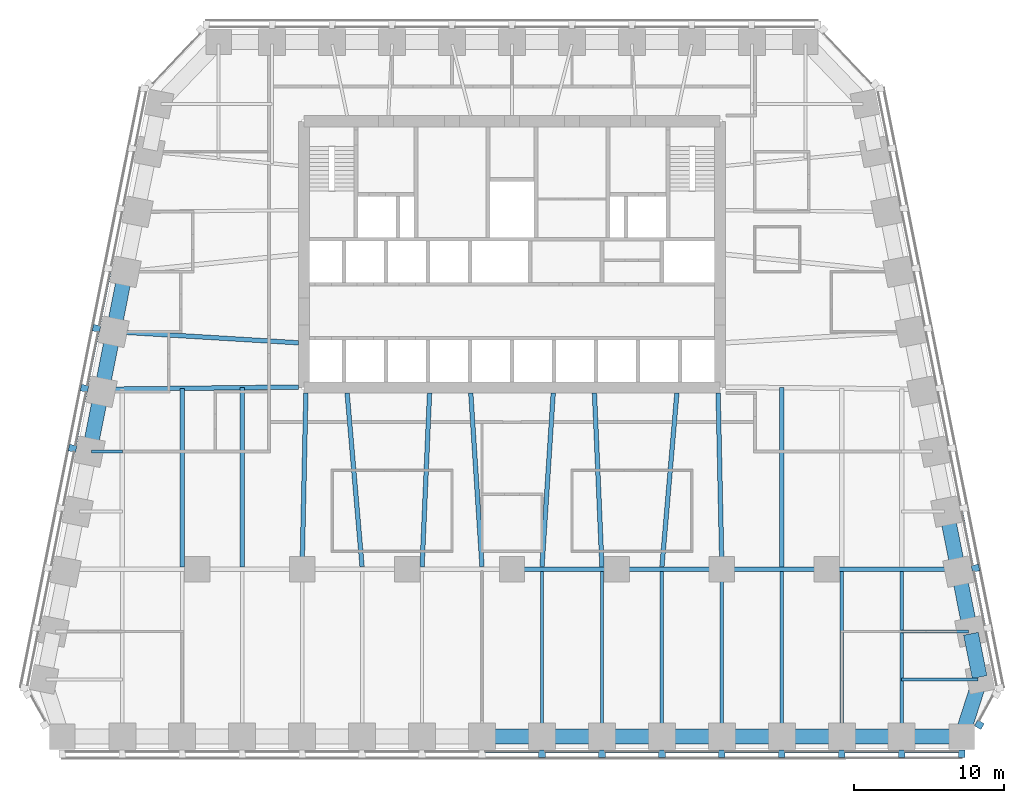
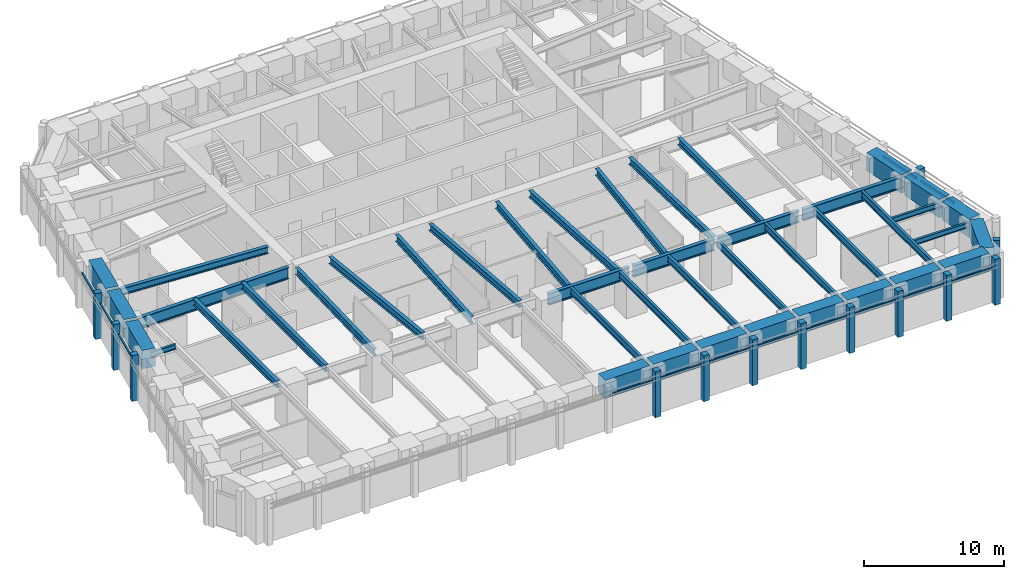
# One storey, part 2 of 10: 42 beams, 26 members, 4 elements without a shape of their own.
"""IFC4 building model written with IfcOpenShell, lengths in metres."""

from ifc_helpers import new_model, si_unit, direction, frame, origin, origin_2d, place, context, subcontext, project, spatial, rectangle, i_section, extrude, material, material_profile, profile_set, type_object, element, aggregate, save


model = new_model("IFC4")

# Units and contexts
model_context = context("Model", 3, precision=1e-05, world=origin(), true_north=direction((0.0, 1.0)))
body_context = subcontext(model_context, "Body", "Model", "MODEL_VIEW")
ifc_project = project(units=[si_unit("LENGTHUNIT", "METRE"), si_unit("AREAUNIT", "SQUARE_METRE"), si_unit("VOLUMEUNIT", "CUBIC_METRE"), si_unit("PLANEANGLEUNIT", "RADIAN"), si_unit("MASSUNIT", "GRAM", prefix="KILO")], contexts=[model_context])

# Site, building, storey
site_placement = place(None, origin())
site = spatial("IfcSite", under=ifc_project, at=site_placement, CompositionType="ELEMENT")
building_placement = place(site_placement, origin())
building = spatial("IfcBuilding", under=site, at=building_placement, Name="Isbrekke Arena Tower", CompositionType="ELEMENT")
storey_placement = place(building_placement, frame((0.0, 0.0, 119.0)))
storey = spatial("IfcBuildingStorey", under=building, at=storey_placement, Name="L26", CompositionType="ELEMENT", Elevation=119.0)

# Beams
ifc_material_1 = material(Name="Steel S355", Category="steel")
ifc_material_profile_1 = material_profile(ifc_material_1, i_section(OverallWidth=0.219970703125, OverallDepth=0.60009765625, WebThickness=0.011962890625, FlangeThickness=0.01904296875, FilletRadius=0.02392578125, at=origin_2d()), Name="IPE 600")
ifc_profile_set_1 = profile_set([ifc_material_profile_1], Name="Steel S355")
beam_type_1 = type_object("IfcBeamType", Name="B1 IPE 600", PredefinedType="BEAM", material=ifc_profile_set_1)
for number, where, z_axis, x_axis, name in (
    (1, (2.0, -17.02490234375, 3.550048828125), (0.0, 1.0, 0.0), (-1.0, 0.0, 0.0), "B1 beam S-S09 L26"),
    (2, (6.0, -17.02490234375, 3.550048828125), (0.0, 1.0, 0.0), (-1.0, 0.0, 0.0), "B1 beam S-S10 L26"),
    (3, (10.0, -17.02490234375, 3.550048828125), (0.0, 1.0, 0.0), (-1.0, 0.0, 0.0), "B1 beam S-S11 L26"),
):
    element("IfcBeam", number, at=place(storey_placement, frame(where, z_axis=z_axis, x_axis=x_axis)), inside=storey, type_object=beam_type_1, Name=name, PredefinedType="BEAM", context=body_context, shape_type="SweptSolid", body=[
        extrude(i_section(OverallWidth=0.219970703125, OverallDepth=0.60009765625, WebThickness=0.011962890625, FlangeThickness=0.01904296875, FilletRadius=0.02392578125, at=origin_2d()), origin(), (0.0, 0.0, 1.0), 10.8740234375),
    ])
beam_1_placement = place(storey_placement, frame((14.0, -17.02490234375, 3.550048828125), z_axis=(0.0, 1.0, 0.0), x_axis=(-1.0, 0.0, 0.0)))
element("IfcBeam", 4, at=beam_1_placement, inside=storey, type_object=beam_type_1, Name="B1 beam S-S12 L26", PredefinedType="BEAM", context=body_context, shape_type="SweptSolid", body=[
    extrude(i_section(OverallWidth=0.219970703125, OverallDepth=0.60009765625, WebThickness=0.011962890625, FlangeThickness=0.01904296875, FilletRadius=0.02392578125, at=origin_2d()), origin(), (0.0, 0.0, 1.0), 10.875),
])
for number, where, z_axis, x_axis, name in (
    (5, (18.0, -17.02490234375, 3.550048828125), (0.0, 1.0, 0.0), (-1.0, 0.0, 0.0), "B1 beam S-S13 L26"),
    (6, (22.0, -17.02490234375, 3.550048828125), (0.0, 1.0, 0.0), (-1.0, 0.0, 0.0), "B1 beam S-S14 L26"),
    (7, (26.0, -17.02490234375, 3.550048828125), (0.0, 1.0, 0.0), (-1.0, 0.0, 0.0), "B1 beam S-S15 L26"),
):
    element("IfcBeam", number, at=place(storey_placement, frame(where, z_axis=z_axis, x_axis=x_axis)), inside=storey, type_object=beam_type_1, Name=name, PredefinedType="BEAM", context=body_context, shape_type="SweptSolid", body=[
        extrude(i_section(OverallWidth=0.219970703125, OverallDepth=0.60009765625, WebThickness=0.011962890625, FlangeThickness=0.01904296875, FilletRadius=0.02392578125, at=origin_2d()), origin(), (0.0, 0.0, 1.0), 10.8740234375),
    ])
ifc_material_2 = material(Name="Steel S355", Category="steel")
ifc_material_profile_2 = material_profile(ifc_material_2, i_section(OverallWidth=0.18994140625, OverallDepth=0.449951171875, WebThickness=0.009521484375, FlangeThickness=0.0146484375, FilletRadius=0.02099609375, at=origin_2d()), Name="IPE 450")
ifc_profile_set_2 = profile_set([ifc_material_profile_2], Name="Steel S355")
beam_type_2 = type_object("IfcBeamType", Name="B2 IPE 450", PredefinedType="BEAM", material=ifc_profile_set_2)
beam_2_placement = place(storey_placement, frame((31.079345703125, -13.352783203125, 3.625), z_axis=(-1.0, 0.0, 0.0), x_axis=(0.0, -1.0, 0.0)))
element("IfcBeam", 8, at=beam_2_placement, inside=storey, type_object=beam_type_2, Name="B2 beam E-E01 L26", PredefinedType="BEAM", context=body_context, shape_type="SweptSolid", body=[
    extrude(i_section(OverallWidth=0.18994140625, OverallDepth=0.449951171875, WebThickness=0.009521484375, FlangeThickness=0.0146484375, FilletRadius=0.02099609375, at=origin_2d()), origin(), (0.0, 0.0, 1.0), 5.079345703125),
])
beam_3_placement = place(storey_placement, frame((30.44091796875, -10.161865234375, 3.625), z_axis=(-1.0, 0.0, 0.0), x_axis=(0.0, -1.0, 0.0)))
element("IfcBeam", 9, at=beam_3_placement, inside=storey, type_object=beam_type_2, Name="B2 beam E-E02 L26", PredefinedType="BEAM", context=body_context, shape_type="SweptSolid", body=[
    extrude(i_section(OverallWidth=0.18994140625, OverallDepth=0.449951171875, WebThickness=0.009521484375, FlangeThickness=0.0146484375, FilletRadius=0.02099609375, at=origin_2d()), origin(), (0.0, 0.0, 1.0), 4.44091796875),
])
beam_4_placement = place(storey_placement, frame((-28.041015625, 1.838134765625, 3.625), z_axis=(1.0, 0.0, 0.0), x_axis=(0.0, 1.0, 0.0)))
element("IfcBeam", 10, at=beam_4_placement, inside=storey, type_object=beam_type_2, Name="B2 beam E-W07 L26", PredefinedType="BEAM", context=body_context, shape_type="SweptSolid", body=[
    extrude(i_section(OverallWidth=0.18994140625, OverallDepth=0.449951171875, WebThickness=0.009521484375, FlangeThickness=0.0146484375, FilletRadius=0.02099609375, at=origin_2d()), origin(), (0.0, 0.0, 1.0), 2.041015625),
])
ifc_material_3 = material(Name="Steel S355", Category="steel")
ifc_material_profile_3 = material_profile(ifc_material_3, i_section(OverallWidth=0.300048828125, OverallDepth=0.60009765625, WebThickness=0.015380859375, FlangeThickness=0.030029296875, FilletRadius=0.027099609375, at=origin_2d()), Name="HEB 600")
ifc_profile_set_3 = profile_set([ifc_material_profile_3], Name="Steel S355")
beam_type_3 = type_object("IfcBeamType", Name="B7 HEB 600", PredefinedType="BEAM", material=ifc_profile_set_3)
beam_5_placement = place(storey_placement, frame((-22.0, -5.84912109375, 3.550048828125), z_axis=(0.0, 1.0, 0.0), x_axis=(-1.0, 0.0, 0.0)))
element("IfcBeam", 11, at=beam_5_placement, inside=storey, type_object=beam_type_3, Name="B7 beam C-M02 L26", PredefinedType="BEAM", context=body_context, shape_type="SweptSolid", body=[
    extrude(i_section(OverallWidth=0.300048828125, OverallDepth=0.60009765625, WebThickness=0.015380859375, FlangeThickness=0.030029296875, FilletRadius=0.027099609375, at=origin_2d()), origin(), (0.0, 0.0, 1.0), 11.91064453125),
])
beam_6_placement = place(storey_placement, frame((-18.0, -5.84912109375, 3.550048828125), z_axis=(0.0, 1.0, 0.0), x_axis=(-1.0, 0.0, 0.0)))
element("IfcBeam", 12, at=beam_6_placement, inside=storey, type_object=beam_type_3, Name="B7 beam C-M03 L26", PredefinedType="BEAM", context=body_context, shape_type="SweptSolid", body=[
    extrude(i_section(OverallWidth=0.300048828125, OverallDepth=0.60009765625, WebThickness=0.015380859375, FlangeThickness=0.030029296875, FilletRadius=0.027099609375, at=origin_2d()), origin(), (0.0, 0.0, 1.0), 11.956298828125),
])
beam_7_placement = place(storey_placement, frame((-14.0, -5.8466796875, 3.550048828125), z_axis=(0.021552887044, 0.999767709551, 0.0), x_axis=(-0.999767709551, 0.021552887044, 0.0)))
element("IfcBeam", 13, at=beam_7_placement, inside=storey, type_object=beam_type_3, Name="B7 beam C-M04 L26", PredefinedType="BEAM", context=body_context, shape_type="SweptSolid", body=[
    extrude(i_section(OverallWidth=0.300048828125, OverallDepth=0.60009765625, WebThickness=0.015380859375, FlangeThickness=0.030029296875, FilletRadius=0.027099609375, at=origin_2d()), origin(), (0.0, 0.0, 1.0), 11.599365234375),
])
beam_8_placement = place(storey_placement, frame((-10.001220703125, -5.836181640625, 3.550048828125), z_axis=(-0.085885827104, 0.996304985786, 0.0), x_axis=(-0.996304985786, -0.085885827104, 0.0)))
element("IfcBeam", 14, at=beam_8_placement, inside=storey, type_object=beam_type_3, Name="B7 beam C-M05 L26", PredefinedType="BEAM", context=body_context, shape_type="SweptSolid", body=[
    extrude(i_section(OverallWidth=0.300048828125, OverallDepth=0.60009765625, WebThickness=0.015380859375, FlangeThickness=0.030029296875, FilletRadius=0.027099609375, at=origin_2d()), origin(), (0.0, 0.0, 1.0), 11.629150390625),
])
beam_9_placement = place(storey_placement, frame((-5.999755859375, -5.842529296875, 3.550048828125), z_axis=(0.043070161667, 0.999072050041, 0.0), x_axis=(-0.999072050041, 0.043070161667, 0.0)))
element("IfcBeam", 15, at=beam_9_placement, inside=storey, type_object=beam_type_3, Name="B7 beam C-M06 L26", PredefinedType="BEAM", context=body_context, shape_type="SweptSolid", body=[
    extrude(i_section(OverallWidth=0.300048828125, OverallDepth=0.60009765625, WebThickness=0.015380859375, FlangeThickness=0.030029296875, FilletRadius=0.027099609375, at=origin_2d()), origin(), (0.0, 0.0, 1.0), 11.603271484375),
])
for number, where, z_axis, x_axis, name in (
    (16, (-2.000732421875, -5.83935546875, 3.550048828125), (-0.064516666031, 0.997916629686, 0.0), (-0.997916629686, -0.064516666031, 0.0), "B7 beam C-M07 L26"),
    (17, (2.000732421875, -5.83935546875, 3.550048828125), (0.064516666031, 0.997916629686, 0.0), (-0.997916629686, 0.064516666031, 0.0), "B7 beam C-M08 L26"),
):
    element("IfcBeam", number, at=place(storey_placement, frame(where, z_axis=z_axis, x_axis=x_axis)), inside=storey, type_object=beam_type_3, Name=name, PredefinedType="BEAM", context=body_context, shape_type="SweptSolid", body=[
        extrude(i_section(OverallWidth=0.300048828125, OverallDepth=0.60009765625, WebThickness=0.015380859375, FlangeThickness=0.030029296875, FilletRadius=0.027099609375, at=origin_2d()), origin(), (0.0, 0.0, 1.0), 11.613525390625),
    ])
beam_10_placement = place(storey_placement, frame((5.999755859375, -5.842529296875, 3.550048828125), z_axis=(-0.043070161667, 0.999072050041, 0.0), x_axis=(-0.999072050041, -0.043070161667, 0.0)))
element("IfcBeam", 18, at=beam_10_placement, inside=storey, type_object=beam_type_3, Name="B7 beam C-M09 L26", PredefinedType="BEAM", context=body_context, shape_type="SweptSolid", body=[
    extrude(i_section(OverallWidth=0.300048828125, OverallDepth=0.60009765625, WebThickness=0.015380859375, FlangeThickness=0.030029296875, FilletRadius=0.027099609375, at=origin_2d()), origin(), (0.0, 0.0, 1.0), 11.603271484375),
])
beam_11_placement = place(storey_placement, frame((10.001220703125, -5.836181640625, 3.550048828125), z_axis=(0.085885827104, 0.996304985786, 0.0), x_axis=(-0.996304985786, 0.085885827104, 0.0)))
element("IfcBeam", 19, at=beam_11_placement, inside=storey, type_object=beam_type_3, Name="B7 beam C-M10 L26", PredefinedType="BEAM", context=body_context, shape_type="SweptSolid", body=[
    extrude(i_section(OverallWidth=0.300048828125, OverallDepth=0.60009765625, WebThickness=0.015380859375, FlangeThickness=0.030029296875, FilletRadius=0.027099609375, at=origin_2d()), origin(), (0.0, 0.0, 1.0), 11.629150390625),
])
beam_12_placement = place(storey_placement, frame((14.0, -5.8466796875, 3.550048828125), z_axis=(-0.021552887044, 0.999767709551, 0.0), x_axis=(-0.999767709551, -0.021552887044, 0.0)))
element("IfcBeam", 20, at=beam_12_placement, inside=storey, type_object=beam_type_3, Name="B7 beam C-M11 L26", PredefinedType="BEAM", context=body_context, shape_type="SweptSolid", body=[
    extrude(i_section(OverallWidth=0.300048828125, OverallDepth=0.60009765625, WebThickness=0.015380859375, FlangeThickness=0.030029296875, FilletRadius=0.027099609375, at=origin_2d()), origin(), (0.0, 0.0, 1.0), 11.599365234375),
])
beam_13_placement = place(storey_placement, frame((18.0, -5.84912109375, 3.550048828125), z_axis=(0.0, 1.0, 0.0), x_axis=(-1.0, 0.0, 0.0)))
element("IfcBeam", 21, at=beam_13_placement, inside=storey, type_object=beam_type_3, Name="B7 beam C-M12 L26", PredefinedType="BEAM", context=body_context, shape_type="SweptSolid", body=[
    extrude(i_section(OverallWidth=0.300048828125, OverallDepth=0.60009765625, WebThickness=0.015380859375, FlangeThickness=0.030029296875, FilletRadius=0.027099609375, at=origin_2d()), origin(), (0.0, 0.0, 1.0), 11.956298828125),
])
beam_14_placement = place(storey_placement, frame((-26.431884765625, 9.837646484375, 3.550048828125), z_axis=(0.998172191876, -0.060434057993, 0.0), x_axis=(0.060434057993, 0.998172191876, 0.0)))
element("IfcBeam", 22, at=beam_14_placement, inside=storey, type_object=beam_type_3, Name="B7 beam E-W05 L26", PredefinedType="BEAM", context=body_context, shape_type="SweptSolid", body=[
    extrude(i_section(OverallWidth=0.300048828125, OverallDepth=0.60009765625, WebThickness=0.015380859375, FlangeThickness=0.030029296875, FilletRadius=0.027099609375, at=origin_2d()), origin(), (0.0, 0.0, 1.0), 12.2041015625),
])

# Curtain wall, members
ifc_material_4 = material(Name="Glazed aluminium curtain wall", Category="aluminium")
curtain_wall_type = type_object("IfcCurtainWallType", Name="CWM TOWER CURTAIN WALL MID ZONE", PredefinedType="USERDEFINED", material=ifc_material_4)
curtain_wall_1_placement = place(storey_placement, origin())
curtain_wall_1 = element("IfcCurtainWall", 23, at=curtain_wall_1_placement, inside=storey, type_object=curtain_wall_type, Name="CWM curtain wall L26-S", ObjectType="TOWER CURTAIN WALL MID ZONE", PredefinedType="USERDEFINED")
ifc_material_5 = material(Name="Aluminium mullion, pale brick slip cladding", Category="masonry")
ifc_material_profile_4 = material_profile(ifc_material_5, rectangle(XDim=0.449951171875, YDim=0.5, at=origin_2d()), Name="PIER 450X500")
ifc_profile_set_4 = profile_set([ifc_material_profile_4], Name="Aluminium mullion, pale brick slip cladding")
member_type_1 = type_object("IfcMemberType", Name="CWM-M PIER MULLION 450 x 500", PredefinedType="MULLION", material=ifc_profile_set_4)
member_1_placement = place(storey_placement, frame((2.0, -18.324951171875, 0.0), z_axis=(0.0, 0.0, 1.0), x_axis=(1.0, 0.0, 0.0)))
member_1 = element("IfcMember", 24, at=member_1_placement, type_object=member_type_1, Name="CWM-M mullion 9", PredefinedType="MULLION", context=body_context, shape_type="SweptSolid", body=[
    extrude(rectangle(XDim=0.449951171875, YDim=0.5, at=origin_2d()), origin(), (0.0, 0.0, 1.0), 4.0),
])
member_2_placement = place(storey_placement, frame((6.0, -18.324951171875, 0.0), z_axis=(0.0, 0.0, 1.0), x_axis=(1.0, 0.0, 0.0)))
member_2 = element("IfcMember", 25, at=member_2_placement, type_object=member_type_1, Name="CWM-M mullion 10", PredefinedType="MULLION", context=body_context, shape_type="SweptSolid", body=[
    extrude(rectangle(XDim=0.449951171875, YDim=0.5, at=origin_2d()), origin(), (0.0, 0.0, 1.0), 4.0),
])
member_3_placement = place(storey_placement, frame((10.0, -18.324951171875, 0.0), z_axis=(0.0, 0.0, 1.0), x_axis=(1.0, 0.0, 0.0)))
member_3 = element("IfcMember", 26, at=member_3_placement, type_object=member_type_1, Name="CWM-M mullion 11", PredefinedType="MULLION", context=body_context, shape_type="SweptSolid", body=[
    extrude(rectangle(XDim=0.449951171875, YDim=0.5, at=origin_2d()), origin(), (0.0, 0.0, 1.0), 4.0),
])
member_4_placement = place(storey_placement, frame((14.0, -18.324951171875, 0.0), z_axis=(0.0, 0.0, 1.0), x_axis=(1.0, 0.0, 0.0)))
member_4 = element("IfcMember", 27, at=member_4_placement, type_object=member_type_1, Name="CWM-M mullion 12", PredefinedType="MULLION", context=body_context, shape_type="SweptSolid", body=[
    extrude(rectangle(XDim=0.449951171875, YDim=0.5, at=origin_2d()), origin(), (0.0, 0.0, 1.0), 4.0),
])
member_5_placement = place(storey_placement, frame((18.0, -18.324951171875, 0.0), z_axis=(0.0, 0.0, 1.0), x_axis=(1.0, 0.0, 0.0)))
member_5 = element("IfcMember", 28, at=member_5_placement, type_object=member_type_1, Name="CWM-M mullion 13", PredefinedType="MULLION", context=body_context, shape_type="SweptSolid", body=[
    extrude(rectangle(XDim=0.449951171875, YDim=0.5, at=origin_2d()), origin(), (0.0, 0.0, 1.0), 4.0),
])
member_6_placement = place(storey_placement, frame((22.0, -18.324951171875, 0.0), z_axis=(0.0, 0.0, 1.0), x_axis=(1.0, 0.0, 0.0)))
member_6 = element("IfcMember", 29, at=member_6_placement, type_object=member_type_1, Name="CWM-M mullion 14", PredefinedType="MULLION", context=body_context, shape_type="SweptSolid", body=[
    extrude(rectangle(XDim=0.449951171875, YDim=0.5, at=origin_2d()), origin(), (0.0, 0.0, 1.0), 4.0),
])
member_7_placement = place(storey_placement, frame((26.0, -18.324951171875, 0.0), z_axis=(0.0, 0.0, 1.0), x_axis=(1.0, 0.0, 0.0)))
member_7 = element("IfcMember", 30, at=member_7_placement, type_object=member_type_1, Name="CWM-M mullion 15", PredefinedType="MULLION", context=body_context, shape_type="SweptSolid", body=[
    extrude(rectangle(XDim=0.449951171875, YDim=0.5, at=origin_2d()), origin(), (0.0, 0.0, 1.0), 4.0),
])
member_8_placement = place(storey_placement, frame((30.0, -18.324951171875, 0.0), z_axis=(0.0, 0.0, 1.0), x_axis=(1.0, 0.0, 0.0)))
member_8 = element("IfcMember", 31, at=member_8_placement, type_object=member_type_1, Name="CWM-M mullion 16", PredefinedType="MULLION", context=body_context, shape_type="SweptSolid", body=[
    extrude(rectangle(XDim=0.449951171875, YDim=0.5, at=origin_2d()), origin(), (0.0, 0.0, 1.0), 4.0),
])

# Curtain wall, member
curtain_wall_2_placement = place(storey_placement, origin())
curtain_wall_2 = element("IfcCurtainWall", 32, at=curtain_wall_2_placement, inside=storey, type_object=curtain_wall_type, Name="CWM curtain wall L26-SE", ObjectType="TOWER CURTAIN WALL MID ZONE", PredefinedType="USERDEFINED")
member_9_placement = place(storey_placement, frame((31.17529296875, -16.382080078125, 0.0), z_axis=(0.0, 0.0, 1.0), x_axis=(0.481918749773, 0.876215908676, 0.0)))
member_9 = element("IfcMember", 33, at=member_9_placement, type_object=member_type_1, Name="CWM-M mullion 1", PredefinedType="MULLION", context=body_context, shape_type="SweptSolid", body=[
    extrude(rectangle(XDim=0.449951171875, YDim=0.5, at=origin_2d()), origin(), (0.0, 0.0, 1.0), 4.0),
])
aggregate(curtain_wall_2, [member_9])

curtain_wall_3_placement = place(storey_placement, origin())
curtain_wall_3 = element("IfcCurtainWall", 34, at=curtain_wall_3_placement, inside=storey, type_object=curtain_wall_type, Name="CWM curtain wall L26-E", ObjectType="TOWER CURTAIN WALL MID ZONE", PredefinedType="USERDEFINED")
member_10_placement = place(storey_placement, frame((30.918701171875, -5.936279296875, 0.0), z_axis=(0.0, 0.0, 1.0), x_axis=(-0.196116135138, 0.980580675691, 0.0)))
member_10 = element("IfcMember", 35, at=member_10_placement, type_object=member_type_1, Name="CWM-M mullion 3", PredefinedType="MULLION", context=body_context, shape_type="SweptSolid", body=[
    extrude(rectangle(XDim=0.449951171875, YDim=0.5, at=origin_2d()), origin(), (0.0, 0.0, 1.0), 4.0),
])

# Curtain wall, members
curtain_wall_4_placement = place(storey_placement, origin())
curtain_wall_4 = element("IfcCurtainWall", 36, at=curtain_wall_4_placement, inside=storey, type_object=curtain_wall_type, Name="CWM curtain wall L26-W", ObjectType="TOWER CURTAIN WALL MID ZONE", PredefinedType="USERDEFINED")
member_11_placement = place(storey_placement, frame((-27.71875, 10.063720703125, 0.0), z_axis=(0.0, 0.0, 1.0), x_axis=(-0.196116135138, -0.980580675691, 0.0)))
member_11 = element("IfcMember", 37, at=member_11_placement, type_object=member_type_1, Name="CWM-M mullion 5", PredefinedType="MULLION", context=body_context, shape_type="SweptSolid", body=[
    extrude(rectangle(XDim=0.449951171875, YDim=0.5, at=origin_2d()), origin(), (0.0, 0.0, 1.0), 4.0),
])
member_12_placement = place(storey_placement, frame((-28.518798828125, 6.063720703125, 0.0), z_axis=(0.0, 0.0, 1.0), x_axis=(-0.196116135138, -0.980580675691, 0.0)))
member_12 = element("IfcMember", 38, at=member_12_placement, type_object=member_type_1, Name="CWM-M mullion 6", PredefinedType="MULLION", context=body_context, shape_type="SweptSolid", body=[
    extrude(rectangle(XDim=0.449951171875, YDim=0.5, at=origin_2d()), origin(), (0.0, 0.0, 1.0), 4.0),
])
member_13_placement = place(storey_placement, frame((-29.318603515625, 2.063720703125, 0.0), z_axis=(0.0, 0.0, 1.0), x_axis=(-0.196116135138, -0.980580675691, 0.0)))
member_13 = element("IfcMember", 39, at=member_13_placement, type_object=member_type_1, Name="CWM-M mullion 7", PredefinedType="MULLION", context=body_context, shape_type="SweptSolid", body=[
    extrude(rectangle(XDim=0.449951171875, YDim=0.5, at=origin_2d()), origin(), (0.0, 0.0, 1.0), 4.0),
])

# Member
ifc_material_6 = material(Name="Aluminium transom", Category="aluminium")
ifc_material_profile_5 = material_profile(ifc_material_6, rectangle(XDim=0.1201171875, YDim=0.199951171875, at=origin_2d()), Name="TRANSOM 120X200")
ifc_profile_set_5 = profile_set([ifc_material_profile_5], Name="Aluminium transom")
member_type_2 = type_object("IfcMemberType", Name="CWM-T TRANSOM 120 x 200", PredefinedType="USERDEFINED", material=ifc_profile_set_5)
member_14_placement = place(storey_placement, frame((-1.77490234375, -18.175048828125, 3.0), z_axis=(1.0, 0.0, 0.0), x_axis=(0.0, 1.0, 0.0)))
member_14 = element("IfcMember", 40, at=member_14_placement, type_object=member_type_2, Name="CWM-T transom 8", ObjectType="TRANSOM", PredefinedType="USERDEFINED", context=body_context, shape_type="SweptSolid", body=[
    extrude(rectangle(XDim=0.1201171875, YDim=0.199951171875, at=origin_2d()), origin(), (0.0, 0.0, 1.0), 3.5498046875),
])

member_15_placement = place(storey_placement, frame((2.22509765625, -18.175048828125, 3.0), z_axis=(1.0, 0.0, 0.0), x_axis=(0.0, 1.0, 0.0)))
member_15 = element("IfcMember", 41, at=member_15_placement, type_object=member_type_2, Name="CWM-T transom 9", ObjectType="TRANSOM", PredefinedType="USERDEFINED", context=body_context, shape_type="SweptSolid", body=[
    extrude(rectangle(XDim=0.1201171875, YDim=0.199951171875, at=origin_2d()), origin(), (0.0, 0.0, 1.0), 3.5498046875),
])

member_16_placement = place(storey_placement, frame((6.22509765625, -18.175048828125, 3.0), z_axis=(1.0, 0.0, 0.0), x_axis=(0.0, 1.0, 0.0)))
member_16 = element("IfcMember", 42, at=member_16_placement, type_object=member_type_2, Name="CWM-T transom 10", ObjectType="TRANSOM", PredefinedType="USERDEFINED", context=body_context, shape_type="SweptSolid", body=[
    extrude(rectangle(XDim=0.1201171875, YDim=0.199951171875, at=origin_2d()), origin(), (0.0, 0.0, 1.0), 3.5498046875),
])

member_17_placement = place(storey_placement, frame((10.22509765625, -18.175048828125, 3.0), z_axis=(1.0, 0.0, 0.0), x_axis=(0.0, 1.0, 0.0)))
member_17 = element("IfcMember", 43, at=member_17_placement, type_object=member_type_2, Name="CWM-T transom 11", ObjectType="TRANSOM", PredefinedType="USERDEFINED", context=body_context, shape_type="SweptSolid", body=[
    extrude(rectangle(XDim=0.1201171875, YDim=0.199951171875, at=origin_2d()), origin(), (0.0, 0.0, 1.0), 3.5498046875),
])

member_18_placement = place(storey_placement, frame((14.22509765625, -18.175048828125, 3.0), z_axis=(1.0, 0.0, 0.0), x_axis=(0.0, 1.0, 0.0)))
member_18 = element("IfcMember", 44, at=member_18_placement, type_object=member_type_2, Name="CWM-T transom 12", ObjectType="TRANSOM", PredefinedType="USERDEFINED", context=body_context, shape_type="SweptSolid", body=[
    extrude(rectangle(XDim=0.1201171875, YDim=0.199951171875, at=origin_2d()), origin(), (0.0, 0.0, 1.0), 3.5498046875),
])

member_19_placement = place(storey_placement, frame((18.22509765625, -18.175048828125, 3.0), z_axis=(1.0, 0.0, 0.0), x_axis=(0.0, 1.0, 0.0)))
member_19 = element("IfcMember", 45, at=member_19_placement, type_object=member_type_2, Name="CWM-T transom 13", ObjectType="TRANSOM", PredefinedType="USERDEFINED", context=body_context, shape_type="SweptSolid", body=[
    extrude(rectangle(XDim=0.1201171875, YDim=0.199951171875, at=origin_2d()), origin(), (0.0, 0.0, 1.0), 3.5498046875),
])

member_20_placement = place(storey_placement, frame((22.22509765625, -18.175048828125, 3.0), z_axis=(1.0, 0.0, 0.0), x_axis=(0.0, 1.0, 0.0)))
member_20 = element("IfcMember", 46, at=member_20_placement, type_object=member_type_2, Name="CWM-T transom 14", ObjectType="TRANSOM", PredefinedType="USERDEFINED", context=body_context, shape_type="SweptSolid", body=[
    extrude(rectangle(XDim=0.1201171875, YDim=0.199951171875, at=origin_2d()), origin(), (0.0, 0.0, 1.0), 3.5498046875),
])

member_21_placement = place(storey_placement, frame((26.22509765625, -18.175048828125, 3.0), z_axis=(1.0, 0.0, 0.0), x_axis=(0.0, 1.0, 0.0)))
member_21 = element("IfcMember", 47, at=member_21_placement, type_object=member_type_2, Name="CWM-T transom 15", ObjectType="TRANSOM", PredefinedType="USERDEFINED", context=body_context, shape_type="SweptSolid", body=[
    extrude(rectangle(XDim=0.1201171875, YDim=0.199951171875, at=origin_2d()), origin(), (0.0, 0.0, 1.0), 3.5498046875),
])

aggregate(curtain_wall_1, [member_1, member_2, member_3, member_4, member_5, member_6, member_7, member_8, member_14, member_15, member_16, member_17, member_18, member_19, member_20, member_21])

member_22_placement = place(storey_placement, frame((31.527587890625, -9.7451171875, 3.0), z_axis=(-0.196154943734, 0.980572913173, 0.0), x_axis=(-0.980572913173, -0.196154943734, 0.0)))
member_22 = element("IfcMember", 48, at=member_22_placement, type_object=member_type_2, Name="CWM-T transom 2", ObjectType="TRANSOM", PredefinedType="USERDEFINED", context=body_context, shape_type="SweptSolid", body=[
    extrude(rectangle(XDim=0.1201171875, YDim=0.199951171875, at=origin_2d()), origin(), (0.0, 0.0, 1.0), 3.62939453125),
])

member_23_placement = place(storey_placement, frame((30.7275390625, -5.7451171875, 3.0), z_axis=(-0.196154943734, 0.980572913173, 0.0), x_axis=(-0.980572913173, -0.196154943734, 0.0)))
member_23 = element("IfcMember", 49, at=member_23_placement, type_object=member_type_2, Name="CWM-T transom 3", ObjectType="TRANSOM", PredefinedType="USERDEFINED", context=body_context, shape_type="SweptSolid", body=[
    extrude(rectangle(XDim=0.1201171875, YDim=0.199951171875, at=origin_2d()), origin(), (0.0, 0.0, 1.0), 3.62939453125),
])

aggregate(curtain_wall_3, [member_10, member_22, member_23])

member_24_placement = place(storey_placement, frame((-26.815673828125, 13.813720703125, 3.0), z_axis=(-0.196154943734, -0.980572913173, 0.0), x_axis=(0.980572913173, -0.196154943734, 0.0)))
member_24 = element("IfcMember", 50, at=member_24_placement, type_object=member_type_2, Name="CWM-T transom 4", ObjectType="TRANSOM", PredefinedType="USERDEFINED", context=body_context, shape_type="SweptSolid", body=[
    extrude(rectangle(XDim=0.1201171875, YDim=0.199951171875, at=origin_2d()), origin(), (0.0, 0.0, 1.0), 3.62939453125),
])

member_25_placement = place(storey_placement, frame((-27.61572265625, 9.813720703125, 3.0), z_axis=(-0.196090262229, -0.980585849918, 0.0), x_axis=(0.980585849918, -0.196090262229, 0.0)))
member_25 = element("IfcMember", 51, at=member_25_placement, type_object=member_type_2, Name="CWM-T transom 5", ObjectType="TRANSOM", PredefinedType="USERDEFINED", context=body_context, shape_type="SweptSolid", body=[
    extrude(rectangle(XDim=0.1201171875, YDim=0.199951171875, at=origin_2d()), origin(), (0.0, 0.0, 1.0), 3.62939453125),
])

member_26_placement = place(storey_placement, frame((-28.415771484375, 5.813720703125, 3.0), z_axis=(-0.196090262229, -0.980585849918, 0.0), x_axis=(0.980585849918, -0.196090262229, 0.0)))
member_26 = element("IfcMember", 52, at=member_26_placement, type_object=member_type_2, Name="CWM-T transom 6", ObjectType="TRANSOM", PredefinedType="USERDEFINED", context=body_context, shape_type="SweptSolid", body=[
    extrude(rectangle(XDim=0.1201171875, YDim=0.199951171875, at=origin_2d()), origin(), (0.0, 0.0, 1.0), 3.62939453125),
])

aggregate(curtain_wall_4, [member_11, member_12, member_13, member_24, member_25, member_26])

# Beams
ifc_material_7 = material(Name="Steel S355", Category="steel")
ifc_material_profile_6 = material_profile(ifc_material_7, i_section(OverallWidth=0.302001953125, OverallDepth=1.008056640625, WebThickness=0.02099609375, FlangeThickness=0.0400390625, FilletRadius=0.030029296875, at=origin_2d()), Name="HEM 1000")
ifc_profile_set_6 = profile_set([ifc_material_profile_6], Name="Steel S355")
beam_type_4 = type_object("IfcBeamType", Name="G1 HEM 1000", PredefinedType="BEAM", material=ifc_profile_set_6)
for number, where, z_axis, x_axis, name in (
    (53, (0.14990234375, -6.0, 3.345947265625), (1.0, 0.0, 0.0), (0.0, 1.0, 0.0), "G1 beam G1-05 L26"),
    (54, (7.14990234375, -6.0, 3.345947265625), (1.0, 0.0, 0.0), (0.0, 1.0, 0.0), "G1 beam G1-06 L26"),
    (55, (14.14990234375, -6.0, 3.345947265625), (1.0, 0.0, 0.0), (0.0, 1.0, 0.0), "G1 beam G1-07 L26"),
):
    element("IfcBeam", number, at=place(storey_placement, frame(where, z_axis=z_axis, x_axis=x_axis)), inside=storey, type_object=beam_type_4, Name=name, PredefinedType="BEAM", context=body_context, shape_type="SweptSolid", body=[
        extrude(i_section(OverallWidth=0.302001953125, OverallDepth=1.008056640625, WebThickness=0.02099609375, FlangeThickness=0.0400390625, FilletRadius=0.030029296875, at=origin_2d()), origin(), (0.0, 0.0, 1.0), 6.7001953125),
    ])
beam_15_placement = place(storey_placement, frame((21.14990234375, -6.0, 3.345947265625), z_axis=(1.0, 0.0, 0.0), x_axis=(0.0, 1.0, 0.0)))
element("IfcBeam", 56, at=beam_15_placement, inside=storey, type_object=beam_type_4, Name="G1 beam G1-08 L26", PredefinedType="BEAM", context=body_context, shape_type="SweptSolid", body=[
    extrude(i_section(OverallWidth=0.302001953125, OverallDepth=1.008056640625, WebThickness=0.02099609375, FlangeThickness=0.0400390625, FilletRadius=0.030029296875, at=origin_2d()), origin(), (0.0, 0.0, 1.0), 8.64111328125),
])
ifc_material_8 = material(Name="Steel S355", Category="steel")
ifc_material_profile_7 = material_profile(ifc_material_8, i_section(OverallWidth=0.302001953125, OverallDepth=1.008056640625, WebThickness=0.02099609375, FlangeThickness=0.0400390625, FilletRadius=0.030029296875, at=origin_2d()), Name="HEM 1000")
ifc_profile_set_7 = profile_set([ifc_material_profile_7], Name="Steel S355")
beam_type_5 = type_object("IfcBeamType", Name="G2 HEM 1000", PredefinedType="BEAM", material=ifc_profile_set_7)
beam_16_placement = place(storey_placement, frame((-14.25, 6.14990234375, 3.345947265625), z_axis=(-0.999934928157, -0.011407867963, 0.0), x_axis=(0.011407867963, -0.999934928157, 0.0)))
element("IfcBeam", 57, at=beam_16_placement, inside=storey, type_object=beam_type_5, Name="G2 beam G2-W L26", PredefinedType="BEAM", context=body_context, shape_type="SweptSolid", body=[
    extrude(i_section(OverallWidth=0.302001953125, OverallDepth=1.008056640625, WebThickness=0.02099609375, FlangeThickness=0.0400390625, FilletRadius=0.030029296875, at=origin_2d()), origin(), (0.0, 0.0, 1.0), 13.140380859375),
])
ifc_material_9 = material(Name="Concrete B80 (C80/95)", Category="concrete")
ifc_material_profile_8 = material_profile(ifc_material_9, rectangle(XDim=1.0, YDim=1.60009765625, at=origin_2d()), Name="RC 1000x1600")
ifc_profile_set_8 = profile_set([ifc_material_profile_8], Name="Concrete B80 (C80/95)")
beam_type_6 = type_object("IfcBeamType", Name="SB2 RC 1000 x 1600", PredefinedType="SPANDREL", material=ifc_profile_set_8)
for number, where, z_axis, x_axis, name in (
    (58, (-1.85009765625, -17.175048828125, 3.199951171875), (1.0, 0.0, 0.0), (0.0, 1.0, 0.0), "SB2 spandrel S08-S09 L26"),
    (59, (2.14990234375, -17.175048828125, 3.199951171875), (1.0, 0.0, 0.0), (0.0, 1.0, 0.0), "SB2 spandrel S09-S10 L26"),
    (60, (6.14990234375, -17.175048828125, 3.199951171875), (1.0, 0.0, 0.0), (0.0, 1.0, 0.0), "SB2 spandrel S10-S11 L26"),
    (61, (10.14990234375, -17.175048828125, 3.199951171875), (1.0, 0.0, 0.0), (0.0, 1.0, 0.0), "SB2 spandrel S11-S12 L26"),
    (62, (14.14990234375, -17.175048828125, 3.199951171875), (1.0, 0.0, 0.0), (0.0, 1.0, 0.0), "SB2 spandrel S12-S13 L26"),
    (63, (18.14990234375, -17.175048828125, 3.199951171875), (1.0, 0.0, 0.0), (0.0, 1.0, 0.0), "SB2 spandrel S13-S14 L26"),
    (64, (22.14990234375, -17.175048828125, 3.199951171875), (1.0, 0.0, 0.0), (0.0, 1.0, 0.0), "SB2 spandrel S14-S15 L26"),
    (65, (26.14990234375, -17.175048828125, 3.199951171875), (1.0, 0.0, 0.0), (0.0, 1.0, 0.0), "SB2 spandrel S15-S16 L26"),
):
    element("IfcBeam", number, at=place(storey_placement, frame(where, z_axis=z_axis, x_axis=x_axis)), inside=storey, type_object=beam_type_6, Name=name, PredefinedType="SPANDREL", context=body_context, shape_type="SweptSolid", body=[
        extrude(rectangle(XDim=1.0, YDim=1.60009765625, at=origin_2d()), origin(), (0.0, 0.0, 1.0), 3.7001953125),
    ])
beam_17_placement = place(storey_placement, frame((30.0458984375, -17.0322265625, 3.199951171875), z_axis=(0.306175101476, 0.951975213562, 0.0), x_axis=(-0.951975213562, 0.306175101476, 0.0)))
element("IfcBeam", 66, at=beam_17_placement, inside=storey, type_object=beam_type_6, Name="SB2 spandrel S16-E01 L26", PredefinedType="SPANDREL", context=body_context, shape_type="SweptSolid", body=[
    extrude(rectangle(XDim=1.0, YDim=1.60009765625, at=origin_2d()), origin(), (0.0, 0.0, 1.0), 3.715087890625),
])
beam_18_placement = place(storey_placement, frame((31.19970703125, -13.205810546875, 3.199951171875), z_axis=(-0.196100243168, 0.980583853951, 0.0), x_axis=(-0.980583853951, -0.196100243168, 0.0)))
element("IfcBeam", 67, at=beam_18_placement, inside=storey, type_object=beam_type_6, Name="SB2 spandrel E01-E02 L26", PredefinedType="SPANDREL", context=body_context, shape_type="SweptSolid", body=[
    extrude(rectangle(XDim=1.0, YDim=1.60009765625, at=origin_2d()), origin(), (0.0, 0.0, 1.0), 2.954345703125),
])
beam_19_placement = place(storey_placement, frame((30.5615234375, -10.0146484375, 3.199951171875), z_axis=(-0.1960664412, 0.980590613169, 0.0), x_axis=(-0.980590613169, -0.1960664412, 0.0)))
element("IfcBeam", 68, at=beam_19_placement, inside=storey, type_object=beam_type_6, Name="SB2 spandrel E02-E03 L26", PredefinedType="SPANDREL", context=body_context, shape_type="SweptSolid", body=[
    extrude(rectangle(XDim=1.0, YDim=1.60009765625, at=origin_2d()), origin(), (0.0, 0.0, 1.0), 3.779052734375),
])
beam_20_placement = place(storey_placement, frame((29.76171875, -6.0146484375, 3.199951171875), z_axis=(-0.196128558387, 0.980578190959, 0.0), x_axis=(-0.980578190959, -0.196128558387, 0.0)))
element("IfcBeam", 69, at=beam_20_placement, inside=storey, type_object=beam_type_6, Name="SB2 spandrel E03-E04 L26", PredefinedType="SPANDREL", context=body_context, shape_type="SweptSolid", body=[
    extrude(rectangle(XDim=1.0, YDim=1.60009765625, at=origin_2d()), origin(), (0.0, 0.0, 1.0), 3.779296875),
])
beam_21_placement = place(storey_placement, frame((-25.820556640625, 13.691162109375, 3.199951171875), z_axis=(-0.1960664412, -0.980590613169, 0.0), x_axis=(0.980590613169, -0.1960664412, 0.0)))
element("IfcBeam", 70, at=beam_21_placement, inside=storey, type_object=beam_type_6, Name="SB2 spandrel W04-W05 L26", PredefinedType="SPANDREL", context=body_context, shape_type="SweptSolid", body=[
    extrude(rectangle(XDim=1.0, YDim=1.60009765625, at=origin_2d()), origin(), (0.0, 0.0, 1.0), 3.779052734375),
])
for number, where, z_axis, x_axis, name in (
    (71, (-26.620361328125, 9.691162109375, 3.199951171875), (-0.196128558387, -0.980578190959, 0.0), (0.980578190959, -0.196128558387, 0.0), "SB2 spandrel W05-W06 L26"),
    (72, (-27.42041015625, 5.691162109375, 3.199951171875), (-0.196128558387, -0.980578190959, 0.0), (0.980578190959, -0.196128558387, 0.0), "SB2 spandrel W06-W07 L26"),
):
    element("IfcBeam", number, at=place(storey_placement, frame(where, z_axis=z_axis, x_axis=x_axis)), inside=storey, type_object=beam_type_6, Name=name, PredefinedType="SPANDREL", context=body_context, shape_type="SweptSolid", body=[
        extrude(rectangle(XDim=1.0, YDim=1.60009765625, at=origin_2d()), origin(), (0.0, 0.0, 1.0), 3.779296875),
    ])

save(model, "model.ifc")
